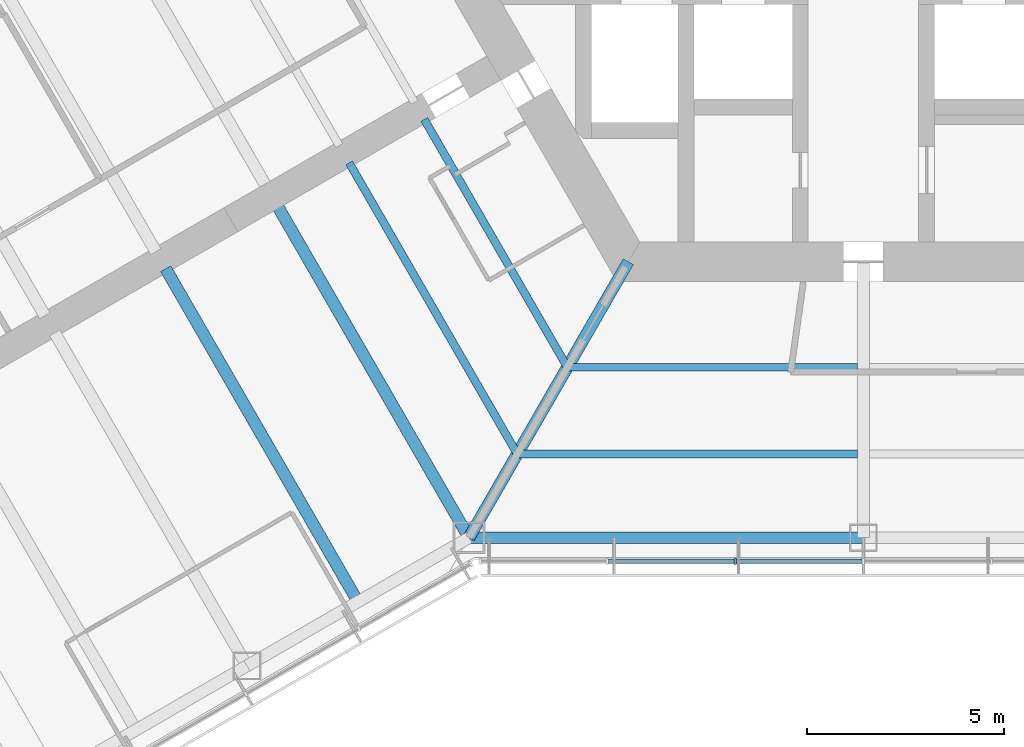
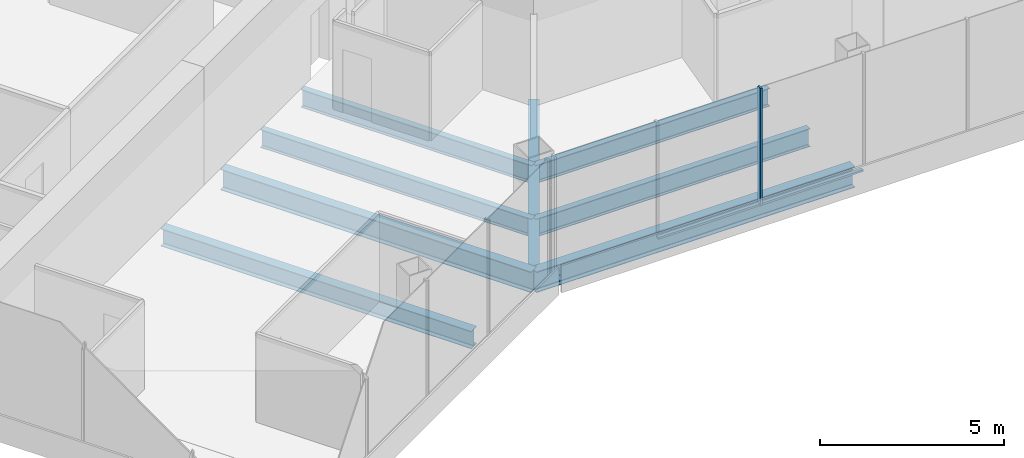
# One storey, part 3 of 18: 8 beams, 3 members, 1 element without a shape of its own.
"""IFC4 building model written with IfcOpenShell, lengths in metres."""

from ifc_helpers import new_model, si_unit, direction, frame, origin, origin_2d, place, context, subcontext, project, spatial, rectangle, i_section, extrude, material, material_profile, profile_set, type_object, element, aggregate, save


model = new_model("IFC4")

# Units and contexts
model_context = context("Model", 3, precision=1e-05, world=origin(), true_north=direction((0.0, 1.0)))
body_context = subcontext(model_context, "Body", "Model", "MODEL_VIEW")
ifc_project = project(units=[si_unit("LENGTHUNIT", "METRE"), si_unit("AREAUNIT", "SQUARE_METRE"), si_unit("VOLUMEUNIT", "CUBIC_METRE"), si_unit("PLANEANGLEUNIT", "RADIAN"), si_unit("MASSUNIT", "GRAM", prefix="KILO")], contexts=[model_context])

# Site, building, storey
site_placement = place(None, origin())
site = spatial("IfcSite", under=ifc_project, at=site_placement, CompositionType="ELEMENT")
building_placement = place(site_placement, origin())
building = spatial("IfcBuilding", under=site, at=building_placement, Name="Kasaneha Research Tower", CompositionType="ELEMENT")
storey_placement = place(building_placement, frame((0.0, 0.0, 148.699951171875)))
storey = spatial("IfcBuildingStorey", under=building, at=storey_placement, Name="L37", CompositionType="ELEMENT", Elevation=148.699951171875)

# Beams
ifc_material_1 = material(Name="Steel SN490B", Category="steel")
ifc_material_profile_1 = material_profile(ifc_material_1, i_section(OverallWidth=0.199951171875, OverallDepth=0.60009765625, WebThickness=0.010986328125, FlangeThickness=0.01708984375, FilletRadius=0.012939453125, at=origin_2d()), Name="H-600x200x11x17")
ifc_profile_set_1 = profile_set([ifc_material_profile_1], Name="Steel SN490B")
beam_type_1 = type_object("IfcBeamType", Name="B1-3 secondary beam H-600x200x11x17", PredefinedType="JOIST", material=ifc_profile_set_1)
beam_1_placement = place(storey_placement, frame((-7.505615234375, -13.0, -0.449951171875), z_axis=(-0.499993340521, 0.866029248602, 0.0), x_axis=(-0.866029248602, -0.499993340521, 0.0)))
element("IfcBeam", 1, at=beam_1_placement, inside=storey, type_object=beam_type_1, Name="Secondary beam RS210R1 L37", PredefinedType="JOIST", context=body_context, shape_type="SweptSolid", body=[
    extrude(i_section(OverallWidth=0.199951171875, OverallDepth=0.60009765625, WebThickness=0.010986328125, FlangeThickness=0.01708984375, FilletRadius=0.012939453125, at=origin_2d()), origin(), (0.0, 0.0, 1.0), 7.25537109375),
])
beam_2_placement = place(storey_placement, frame((-8.775634765625, -15.199951171875, -0.449951171875), z_axis=(-0.500004205306, 0.866022975836, 0.0), x_axis=(-0.866022975836, -0.500004205306, 0.0)))
element("IfcBeam", 2, at=beam_2_placement, inside=storey, type_object=beam_type_1, Name="Secondary beam RS210R2 L37", PredefinedType="JOIST", context=body_context, shape_type="SweptSolid", body=[
    extrude(i_section(OverallWidth=0.199951171875, OverallDepth=0.60009765625, WebThickness=0.010986328125, FlangeThickness=0.01708984375, FilletRadius=0.012939453125, at=origin_2d()), origin(), (0.0, 0.0, 1.0), 8.52587890625),
])
beam_3_placement = place(storey_placement, frame((-7.505615234375, -13.0, -0.449951171875), z_axis=(1.0, 0.0, 0.0), x_axis=(0.0, 1.0, 0.0)))
element("IfcBeam", 3, at=beam_3_placement, inside=storey, type_object=beam_type_1, Name="Secondary beam RS270L1 L37", PredefinedType="JOIST", context=body_context, shape_type="SweptSolid", body=[
    extrude(i_section(OverallWidth=0.199951171875, OverallDepth=0.60009765625, WebThickness=0.010986328125, FlangeThickness=0.01708984375, FilletRadius=0.012939453125, at=origin_2d()), origin(), (0.0, 0.0, 1.0), 7.355712890625),
])
beam_4_placement = place(storey_placement, frame((-8.775634765625, -15.199951171875, -0.449951171875), z_axis=(1.0, 0.0, 0.0), x_axis=(0.0, 1.0, 0.0)))
element("IfcBeam", 4, at=beam_4_placement, inside=storey, type_object=beam_type_1, Name="Secondary beam RS270L2 L37", PredefinedType="JOIST", context=body_context, shape_type="SweptSolid", body=[
    extrude(i_section(OverallWidth=0.199951171875, OverallDepth=0.60009765625, WebThickness=0.010986328125, FlangeThickness=0.01708984375, FilletRadius=0.012939453125, at=origin_2d()), origin(), (0.0, 0.0, 1.0), 8.625732421875),
])
ifc_material_2 = material(Name="Steel SN490B", Category="steel")
ifc_material_profile_2 = material_profile(ifc_material_2, i_section(OverallWidth=0.300048828125, OverallDepth=0.58203125, WebThickness=0.011962890625, FlangeThickness=0.01708984375, FilletRadius=0.012939453125, at=origin_2d()), Name="H-582x300x12x17")
ifc_profile_set_2 = profile_set([ifc_material_profile_2], Name="Steel SN490B")
beam_type_2 = type_object("IfcBeamType", Name="B2-3 secondary beam H-582x300x12x17", PredefinedType="JOIST", material=ifc_profile_set_2)
beam_5_placement = place(storey_placement, frame((-12.814697265625, -18.945556640625, -0.44091796875), z_axis=(-0.499995560238, 0.866027967067, 0.0), x_axis=(-0.866027967067, -0.499995560238, 0.0)))
element("IfcBeam", 5, at=beam_5_placement, inside=storey, type_object=beam_type_2, Name="Secondary beam WBBN1 L37", PredefinedType="JOIST", context=body_context, shape_type="SweptSolid", body=[
    extrude(i_section(OverallWidth=0.300048828125, OverallDepth=0.58203125, WebThickness=0.011962890625, FlangeThickness=0.01708984375, FilletRadius=0.012939453125, at=origin_2d()), origin(), (0.0, 0.0, 1.0), 9.75),
])

# Curtain wall, members
ifc_material_3 = material(Name="Glass and aluminium", Category="aluminium")
curtain_wall_type = type_object("IfcCurtainWallType", Name="Mid-rise office curtain wall", PredefinedType="USERDEFINED", material=ifc_material_3)
curtain_wall_placement = place(storey_placement, origin())
curtain_wall = element("IfcCurtainWall", 6, at=curtain_wall_placement, inside=storey, type_object=curtain_wall_type, Name="CW-O2 L37 run 01a", ObjectType="UNITISED CURTAIN WALL", PredefinedType="USERDEFINED")
ifc_material_4 = material(Name="Aluminium 6063-T6", Category="aluminium")
ifc_material_profile_3 = material_profile(ifc_material_4, rectangle(XDim=0.06005859375, YDim=0.14990234375, at=origin_2d()), Name="CW-O2 mullion 60x150")
ifc_profile_set_3 = profile_set([ifc_material_profile_3], Name="Aluminium 6063-T6")
member_type_1 = type_object("IfcMemberType", Name="CW-O2 mullion", PredefinedType="MULLION", material=ifc_profile_set_3)
member_1_placement = place(storey_placement, frame((-3.246337890625, -17.92041015625, 0.0), z_axis=(0.0, 0.0, 1.0), x_axis=(1.0, 0.0, 0.0)))
member_1 = element("IfcMember", 7, at=member_1_placement, type_object=member_type_1, Name="CW-O2 mullion 3", PredefinedType="MULLION", context=body_context, shape_type="SweptSolid", body=[
    extrude(rectangle(XDim=0.06005859375, YDim=0.14990234375, at=origin_2d()), origin(), (0.0, 0.0, 1.0), 3.900146484375),
])
ifc_material_5 = material(Name="Aluminium 6063-T6", Category="aluminium")
ifc_material_profile_4 = material_profile(ifc_material_5, rectangle(XDim=0.110107421875, YDim=0.06005859375, at=origin_2d()), Name="CW-O2 transom 110x60")
ifc_profile_set_4 = profile_set([ifc_material_profile_4], Name="Aluminium 6063-T6")
member_type_2 = type_object("IfcMemberType", Name="CW-O2 transom", PredefinedType="USERDEFINED", material=ifc_profile_set_4)
member_2_placement = place(storey_placement, frame((-6.462890625, -17.92041015625, 0.030029296875), z_axis=(1.0, 0.0, 0.0), x_axis=(0.0, 1.0, 0.0)))
member_2 = element("IfcMember", 8, at=member_2_placement, type_object=member_type_2, Name="CW-O2 transom 2", ObjectType="TRANSOM", PredefinedType="USERDEFINED", context=body_context, shape_type="SweptSolid", body=[
    extrude(rectangle(XDim=0.110107421875, YDim=0.06005859375, at=origin_2d()), origin(), (0.0, 0.0, 1.0), 3.1865234375),
])
member_3_placement = place(storey_placement, frame((-3.21630859375, -17.92041015625, 0.030029296875), z_axis=(1.0, 0.0, 0.0), x_axis=(0.0, 1.0, 0.0)))
member_3 = element("IfcMember", 9, at=member_3_placement, type_object=member_type_2, Name="CW-O2 transom 3", ObjectType="TRANSOM", PredefinedType="USERDEFINED", context=body_context, shape_type="SweptSolid", body=[
    extrude(rectangle(XDim=0.110107421875, YDim=0.06005859375, at=origin_2d()), origin(), (0.0, 0.0, 1.0), 3.186279296875),
])
aggregate(curtain_wall, [member_1, member_2, member_3])

# Beams
ifc_material_6 = material(Name="Steel SN490B", Category="steel")
ifc_material_profile_5 = material_profile(ifc_material_6, i_section(OverallWidth=0.300048828125, OverallDepth=0.699951171875, WebThickness=0.012939453125, FlangeThickness=0.02392578125, FilletRadius=0.01806640625, at=origin_2d()), Name="H-700x300x13x24")
ifc_profile_set_5 = profile_set([ifc_material_profile_5], Name="Steel SN490B")
beam_type_3 = type_object("IfcBeamType", Name="G1-3 radial girder H-700x300x13x24", PredefinedType="BEAM", material=ifc_profile_set_5)
beam_6_placement = place(storey_placement, frame((-5.961181640625, -10.324951171875, -0.5), z_axis=(-0.49999105496, -0.866030568144, 0.0), x_axis=(0.866030568144, -0.49999105496, 0.0)))
element("IfcBeam", 10, at=beam_6_placement, inside=storey, type_object=beam_type_3, Name="Radial girder RV240 L37", PredefinedType="BEAM", context=body_context, shape_type="SweptSolid", body=[
    extrude(i_section(OverallWidth=0.300048828125, OverallDepth=0.699951171875, WebThickness=0.012939453125, FlangeThickness=0.02392578125, FilletRadius=0.01806640625, at=origin_2d()), origin(), (0.0, 0.0, 1.0), 8.077880859375),
])
ifc_material_7 = material(Name="Steel SN490B", Category="steel")
ifc_material_profile_6 = material_profile(ifc_material_7, i_section(OverallWidth=0.300048828125, OverallDepth=0.69189453125, WebThickness=0.012939453125, FlangeThickness=0.02001953125, FilletRadius=0.01806640625, at=origin_2d()), Name="H-692x300x13x20")
ifc_profile_set_6 = profile_set([ifc_material_profile_6], Name="Steel SN490B")
beam_type_4 = type_object("IfcBeamType", Name="G3-3 plate edge girder H-692x300x13x20", PredefinedType="BEAM", material=ifc_profile_set_6)
beam_7_placement = place(storey_placement, frame((-10.0, -17.320556640625, -0.495849609375), z_axis=(-0.499995560238, 0.866027967067, 0.0), x_axis=(-0.866027967067, -0.499995560238, 0.0)))
element("IfcBeam", 11, at=beam_7_placement, inside=storey, type_object=beam_type_4, Name="Plate edge girder PEBN L37", PredefinedType="BEAM", context=body_context, shape_type="SweptSolid", body=[
    extrude(i_section(OverallWidth=0.300048828125, OverallDepth=0.69189453125, WebThickness=0.012939453125, FlangeThickness=0.02001953125, FilletRadius=0.01806640625, at=origin_2d()), origin(), (0.0, 0.0, 1.0), 9.75),
])
ifc_material_8 = material(Name="Steel SN490B", Category="steel")
ifc_material_profile_7 = material_profile(ifc_material_8, i_section(OverallWidth=0.300048828125, OverallDepth=0.69189453125, WebThickness=0.012939453125, FlangeThickness=0.02001953125, FilletRadius=0.01806640625, at=origin_2d()), Name="H-692x300x13x20")
ifc_profile_set_7 = profile_set([ifc_material_profile_7], Name="Steel SN490B")
beam_type_5 = type_object("IfcBeamType", Name="SB1-3 spandrel beam H-692x300x13x20", PredefinedType="SPANDREL", material=ifc_profile_set_7)
beam_8_placement = place(storey_placement, frame((-10.0, -17.320556640625, -0.495849609375), z_axis=(1.0, 0.0, 0.0), x_axis=(0.0, 1.0, 0.0)))
element("IfcBeam", 12, at=beam_8_placement, inside=storey, type_object=beam_type_5, Name="Spandrel beam SR270L L37", PredefinedType="SPANDREL", context=body_context, shape_type="SweptSolid", body=[
    extrude(i_section(OverallWidth=0.300048828125, OverallDepth=0.69189453125, WebThickness=0.012939453125, FlangeThickness=0.02001953125, FilletRadius=0.01806640625, at=origin_2d()), origin(), (0.0, 0.0, 1.0), 10.0),
])

save(model, "model.ifc")
